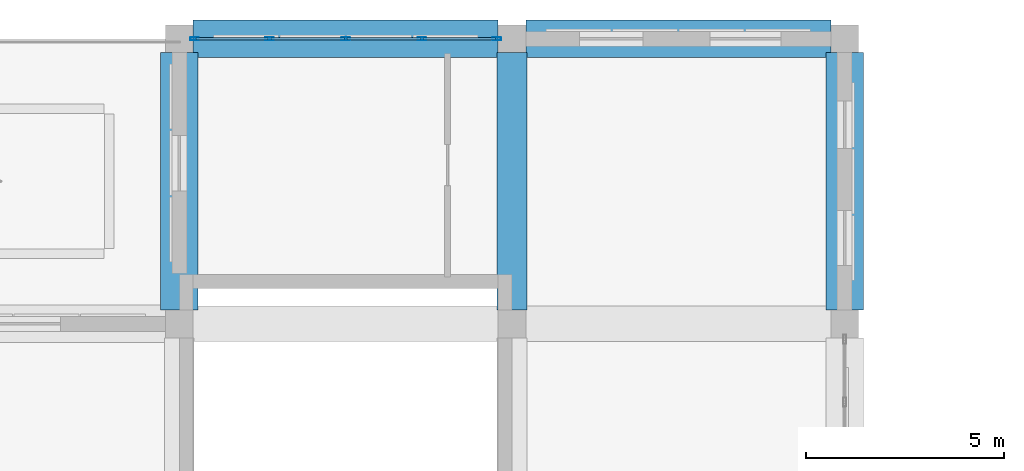
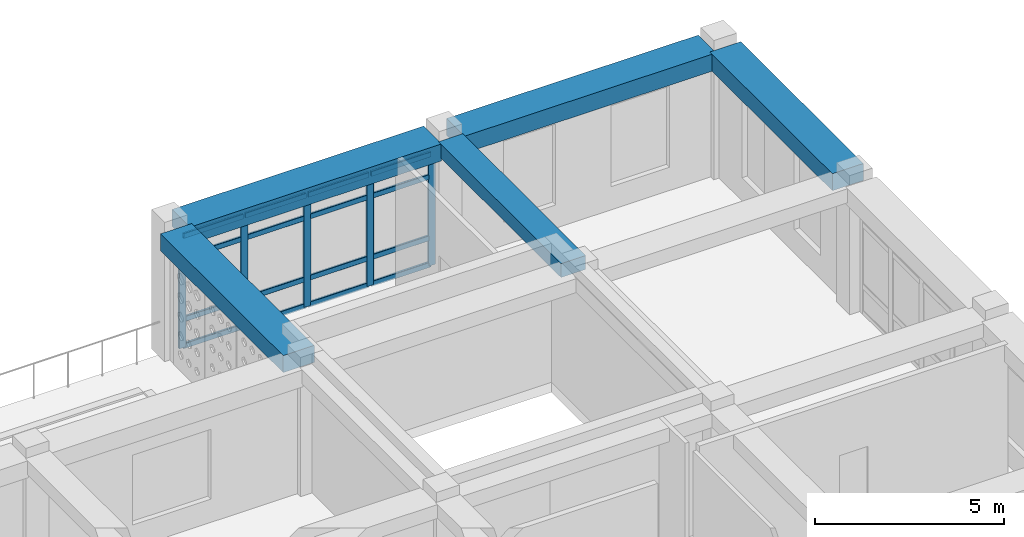
# One storey, part 29 of 79: 21 members, 5 beams, 1 element without a shape of its own.
"""IFC4 building model written with IfcOpenShell, lengths in metres."""

from ifc_helpers import new_model, si_unit, derived_unit, direction, frame, origin, origin_2d, place, context, subcontext, project, spatial, rectangle, hollow_rectangle, extrude, material, material_profile, profile_set, type_object, element, aggregate, save


model = new_model("IFC4")

# Units and contexts
model_context = context("Model", 3, precision=1e-05, world=origin(), true_north=direction((0.0, 1.0)))
body_context = subcontext(model_context, "Body", "Model", "MODEL_VIEW")
ifc_project = project(units=[si_unit("LENGTHUNIT", "METRE"), si_unit("AREAUNIT", "SQUARE_METRE"), si_unit("VOLUMEUNIT", "CUBIC_METRE"), si_unit("PLANEANGLEUNIT", "RADIAN"), si_unit("MASSUNIT", "GRAM", prefix="KILO"), derived_unit("THERMALTRANSMITTANCEUNIT", [(si_unit("POWERUNIT", "WATT"), 1), (si_unit("LENGTHUNIT", "METRE"), -2), (si_unit("THERMODYNAMICTEMPERATUREUNIT", "KELVIN"), -1)])], contexts=[model_context])

# Site, building, storey
site_placement = place(None, origin())
site = spatial("IfcSite", under=ifc_project, at=site_placement, CompositionType="ELEMENT")
building_placement = place(site_placement, origin())
building = spatial("IfcBuilding", under=site, at=building_placement, Name="Veybourne Emporium", CompositionType="ELEMENT")
storey_placement = place(building_placement, frame((0.0, 0.0, 18.89990234375)))
storey = spatial("IfcBuildingStorey", under=building, at=storey_placement, Name="L04", CompositionType="ELEMENT", Elevation=18.89990234375)

# Curtain wall, members
ifc_material_1 = material(Name="Patinated Architectural Bronze", Category="bronze")
curtain_wall_type = type_object("IfcCurtainWallType", Name="CWSystem_CWS-04", PredefinedType="NOTDEFINED", material=ifc_material_1)
curtain_wall_placement = place(storey_placement, origin())
curtain_wall = element("IfcCurtainWall", 1, at=curtain_wall_placement, inside=storey, type_object=curtain_wall_type, Name="L04 bronze glazed curtain wall CWS-04 (039)", PredefinedType="NOTDEFINED")
ifc_material_profile_1 = material_profile(ifc_material_1, hollow_rectangle(XDim=0.070068359375, YDim=0.219970703125, WallThickness=0.0048828125, InnerFilletRadius=0.007568359375, OuterFilletRadius=0.012451171875, at=origin_2d()), Name="CWM 70x220x5")
ifc_profile_set_1 = profile_set([ifc_material_profile_1], Name="Patinated Architectural Bronze")
member_type_1 = type_object("IfcMemberType", Name="CWMullion_CW-M4", PredefinedType="MULLION", material=ifc_profile_set_1)
member_1_placement = place(storey_placement, frame((75.985107421875, 100.800048828125, 0.0), z_axis=(0.0, 0.0, 1.0), x_axis=(0.0, 1.0, 0.0)))
member_1 = element("IfcMember", 2, at=member_1_placement, type_object=member_type_1, Name="CWS-04 mullion 1", PredefinedType="MULLION", context=body_context, shape_type="SweptSolid", body=[
    extrude(hollow_rectangle(XDim=0.070068359375, YDim=0.219970703125, WallThickness=0.0048828125, InnerFilletRadius=0.007568359375, OuterFilletRadius=0.012451171875, at=origin_2d()), origin(), (0.0, 0.0, 1.0), 3.630126953125),
])
member_2_placement = place(storey_placement, frame((77.875, 100.800048828125, 0.0), z_axis=(0.0, 0.0, 1.0), x_axis=(0.0, 1.0, 0.0)))
member_2 = element("IfcMember", 3, at=member_2_placement, type_object=member_type_1, Name="CWS-04 mullion 2", PredefinedType="MULLION", context=body_context, shape_type="SweptSolid", body=[
    extrude(hollow_rectangle(XDim=0.070068359375, YDim=0.219970703125, WallThickness=0.0048828125, InnerFilletRadius=0.007568359375, OuterFilletRadius=0.012451171875, at=origin_2d()), origin(), (0.0, 0.0, 1.0), 3.630126953125),
])
member_3_placement = place(storey_placement, frame((79.800048828125, 100.800048828125, 0.0), z_axis=(0.0, 0.0, 1.0), x_axis=(0.0, 1.0, 0.0)))
member_3 = element("IfcMember", 4, at=member_3_placement, type_object=member_type_1, Name="CWS-04 mullion 3", PredefinedType="MULLION", context=body_context, shape_type="SweptSolid", body=[
    extrude(hollow_rectangle(XDim=0.070068359375, YDim=0.219970703125, WallThickness=0.0048828125, InnerFilletRadius=0.007568359375, OuterFilletRadius=0.012451171875, at=origin_2d()), origin(), (0.0, 0.0, 1.0), 3.630126953125),
])
member_4_placement = place(storey_placement, frame((81.72509765625, 100.800048828125, 0.0), z_axis=(0.0, 0.0, 1.0), x_axis=(0.0, 1.0, 0.0)))
member_4 = element("IfcMember", 5, at=member_4_placement, type_object=member_type_1, Name="CWS-04 mullion 4", PredefinedType="MULLION", context=body_context, shape_type="SweptSolid", body=[
    extrude(hollow_rectangle(XDim=0.070068359375, YDim=0.219970703125, WallThickness=0.0048828125, InnerFilletRadius=0.007568359375, OuterFilletRadius=0.012451171875, at=origin_2d()), origin(), (0.0, 0.0, 1.0), 3.630126953125),
])
member_5_placement = place(storey_placement, frame((83.614990234375, 100.800048828125, 0.0), z_axis=(0.0, 0.0, 1.0), x_axis=(0.0, 1.0, 0.0)))
member_5 = element("IfcMember", 6, at=member_5_placement, type_object=member_type_1, Name="CWS-04 mullion 5", PredefinedType="MULLION", context=body_context, shape_type="SweptSolid", body=[
    extrude(hollow_rectangle(XDim=0.070068359375, YDim=0.219970703125, WallThickness=0.0048828125, InnerFilletRadius=0.007568359375, OuterFilletRadius=0.012451171875, at=origin_2d()), origin(), (0.0, 0.0, 1.0), 3.630126953125),
])
ifc_material_profile_2 = material_profile(ifc_material_1, hollow_rectangle(XDim=0.070068359375, YDim=0.169921875, WallThickness=0.0048828125, InnerFilletRadius=0.007568359375, OuterFilletRadius=0.012451171875, at=origin_2d()), Name="CWT 70x170x5")
ifc_profile_set_2 = profile_set([ifc_material_profile_2], Name="Patinated Architectural Bronze")
member_type_2 = type_object("IfcMemberType", Name="CWTransom_CW-T4", PredefinedType="NOTDEFINED", material=ifc_profile_set_2)
member_6_placement = place(storey_placement, frame((76.02001953125, 100.800048828125, 0.03515625), z_axis=(1.0, 0.0, 0.0), x_axis=(0.0, 1.0, 0.0)))
member_6 = element("IfcMember", 7, at=member_6_placement, type_object=member_type_2, Name="CWS-04 transom 1.1", ObjectType="TRANSOM", PredefinedType="USERDEFINED", context=body_context, shape_type="SweptSolid", body=[
    extrude(hollow_rectangle(XDim=0.070068359375, YDim=0.169921875, WallThickness=0.0048828125, InnerFilletRadius=0.007568359375, OuterFilletRadius=0.012451171875, at=origin_2d()), origin(), (0.0, 0.0, 1.0), 1.820068359375),
])
member_7_placement = place(storey_placement, frame((76.02001953125, 100.800048828125, 0.900146484375), z_axis=(1.0, 0.0, 0.0), x_axis=(0.0, 1.0, 0.0)))
member_7 = element("IfcMember", 8, at=member_7_placement, type_object=member_type_2, Name="CWS-04 transom 1.2", ObjectType="TRANSOM", PredefinedType="USERDEFINED", context=body_context, shape_type="SweptSolid", body=[
    extrude(hollow_rectangle(XDim=0.070068359375, YDim=0.169921875, WallThickness=0.0048828125, InnerFilletRadius=0.007568359375, OuterFilletRadius=0.012451171875, at=origin_2d()), origin(), (0.0, 0.0, 1.0), 1.820068359375),
])
member_8_placement = place(storey_placement, frame((76.02001953125, 100.800048828125, 2.880126953125), z_axis=(1.0, 0.0, 0.0), x_axis=(0.0, 1.0, 0.0)))
member_8 = element("IfcMember", 9, at=member_8_placement, type_object=member_type_2, Name="CWS-04 transom 1.3", ObjectType="TRANSOM", PredefinedType="USERDEFINED", context=body_context, shape_type="SweptSolid", body=[
    extrude(hollow_rectangle(XDim=0.070068359375, YDim=0.169921875, WallThickness=0.0048828125, InnerFilletRadius=0.007568359375, OuterFilletRadius=0.012451171875, at=origin_2d()), origin(), (0.0, 0.0, 1.0), 1.820068359375),
])
member_9_placement = place(storey_placement, frame((76.02001953125, 100.800048828125, 3.59521484375), z_axis=(1.0, 0.0, 0.0), x_axis=(0.0, 1.0, 0.0)))
member_9 = element("IfcMember", 10, at=member_9_placement, type_object=member_type_2, Name="CWS-04 transom 1.4", ObjectType="TRANSOM", PredefinedType="USERDEFINED", context=body_context, shape_type="SweptSolid", body=[
    extrude(hollow_rectangle(XDim=0.070068359375, YDim=0.169921875, WallThickness=0.0048828125, InnerFilletRadius=0.007568359375, OuterFilletRadius=0.012451171875, at=origin_2d()), origin(), (0.0, 0.0, 1.0), 1.820068359375),
])
member_10_placement = place(storey_placement, frame((77.909912109375, 100.800048828125, 0.03515625), z_axis=(1.0, 0.0, 0.0), x_axis=(0.0, 1.0, 0.0)))
member_10 = element("IfcMember", 11, at=member_10_placement, type_object=member_type_2, Name="CWS-04 transom 2.1", ObjectType="TRANSOM", PredefinedType="USERDEFINED", context=body_context, shape_type="SweptSolid", body=[
    extrude(hollow_rectangle(XDim=0.070068359375, YDim=0.169921875, WallThickness=0.0048828125, InnerFilletRadius=0.007568359375, OuterFilletRadius=0.012451171875, at=origin_2d()), origin(), (0.0, 0.0, 1.0), 1.85498046875),
])
member_11_placement = place(storey_placement, frame((77.909912109375, 100.800048828125, 0.900146484375), z_axis=(1.0, 0.0, 0.0), x_axis=(0.0, 1.0, 0.0)))
member_11 = element("IfcMember", 12, at=member_11_placement, type_object=member_type_2, Name="CWS-04 transom 2.2", ObjectType="TRANSOM", PredefinedType="USERDEFINED", context=body_context, shape_type="SweptSolid", body=[
    extrude(hollow_rectangle(XDim=0.070068359375, YDim=0.169921875, WallThickness=0.0048828125, InnerFilletRadius=0.007568359375, OuterFilletRadius=0.012451171875, at=origin_2d()), origin(), (0.0, 0.0, 1.0), 1.85498046875),
])
member_12_placement = place(storey_placement, frame((77.909912109375, 100.800048828125, 2.880126953125), z_axis=(1.0, 0.0, 0.0), x_axis=(0.0, 1.0, 0.0)))
member_12 = element("IfcMember", 13, at=member_12_placement, type_object=member_type_2, Name="CWS-04 transom 2.3", ObjectType="TRANSOM", PredefinedType="USERDEFINED", context=body_context, shape_type="SweptSolid", body=[
    extrude(hollow_rectangle(XDim=0.070068359375, YDim=0.169921875, WallThickness=0.0048828125, InnerFilletRadius=0.007568359375, OuterFilletRadius=0.012451171875, at=origin_2d()), origin(), (0.0, 0.0, 1.0), 1.85498046875),
])
member_13_placement = place(storey_placement, frame((77.909912109375, 100.800048828125, 3.59521484375), z_axis=(1.0, 0.0, 0.0), x_axis=(0.0, 1.0, 0.0)))
member_13 = element("IfcMember", 14, at=member_13_placement, type_object=member_type_2, Name="CWS-04 transom 2.4", ObjectType="TRANSOM", PredefinedType="USERDEFINED", context=body_context, shape_type="SweptSolid", body=[
    extrude(hollow_rectangle(XDim=0.070068359375, YDim=0.169921875, WallThickness=0.0048828125, InnerFilletRadius=0.007568359375, OuterFilletRadius=0.012451171875, at=origin_2d()), origin(), (0.0, 0.0, 1.0), 1.85498046875),
])
member_14_placement = place(storey_placement, frame((79.8349609375, 100.800048828125, 0.03515625), z_axis=(1.0, 0.0, 0.0), x_axis=(0.0, 1.0, 0.0)))
member_14 = element("IfcMember", 15, at=member_14_placement, type_object=member_type_2, Name="CWS-04 transom 3.1", ObjectType="TRANSOM", PredefinedType="USERDEFINED", context=body_context, shape_type="SweptSolid", body=[
    extrude(hollow_rectangle(XDim=0.070068359375, YDim=0.169921875, WallThickness=0.0048828125, InnerFilletRadius=0.007568359375, OuterFilletRadius=0.012451171875, at=origin_2d()), origin(), (0.0, 0.0, 1.0), 1.85498046875),
])
member_15_placement = place(storey_placement, frame((79.8349609375, 100.800048828125, 0.900146484375), z_axis=(1.0, 0.0, 0.0), x_axis=(0.0, 1.0, 0.0)))
member_15 = element("IfcMember", 16, at=member_15_placement, type_object=member_type_2, Name="CWS-04 transom 3.2", ObjectType="TRANSOM", PredefinedType="USERDEFINED", context=body_context, shape_type="SweptSolid", body=[
    extrude(hollow_rectangle(XDim=0.070068359375, YDim=0.169921875, WallThickness=0.0048828125, InnerFilletRadius=0.007568359375, OuterFilletRadius=0.012451171875, at=origin_2d()), origin(), (0.0, 0.0, 1.0), 1.85498046875),
])
member_16_placement = place(storey_placement, frame((79.8349609375, 100.800048828125, 2.880126953125), z_axis=(1.0, 0.0, 0.0), x_axis=(0.0, 1.0, 0.0)))
member_16 = element("IfcMember", 17, at=member_16_placement, type_object=member_type_2, Name="CWS-04 transom 3.3", ObjectType="TRANSOM", PredefinedType="USERDEFINED", context=body_context, shape_type="SweptSolid", body=[
    extrude(hollow_rectangle(XDim=0.070068359375, YDim=0.169921875, WallThickness=0.0048828125, InnerFilletRadius=0.007568359375, OuterFilletRadius=0.012451171875, at=origin_2d()), origin(), (0.0, 0.0, 1.0), 1.85498046875),
])
member_17_placement = place(storey_placement, frame((79.8349609375, 100.800048828125, 3.59521484375), z_axis=(1.0, 0.0, 0.0), x_axis=(0.0, 1.0, 0.0)))
member_17 = element("IfcMember", 18, at=member_17_placement, type_object=member_type_2, Name="CWS-04 transom 3.4", ObjectType="TRANSOM", PredefinedType="USERDEFINED", context=body_context, shape_type="SweptSolid", body=[
    extrude(hollow_rectangle(XDim=0.070068359375, YDim=0.169921875, WallThickness=0.0048828125, InnerFilletRadius=0.007568359375, OuterFilletRadius=0.012451171875, at=origin_2d()), origin(), (0.0, 0.0, 1.0), 1.85498046875),
])
member_18_placement = place(storey_placement, frame((81.760009765625, 100.800048828125, 0.03515625), z_axis=(1.0, 0.0, 0.0), x_axis=(0.0, 1.0, 0.0)))
member_18 = element("IfcMember", 19, at=member_18_placement, type_object=member_type_2, Name="CWS-04 transom 4.1", ObjectType="TRANSOM", PredefinedType="USERDEFINED", context=body_context, shape_type="SweptSolid", body=[
    extrude(hollow_rectangle(XDim=0.070068359375, YDim=0.169921875, WallThickness=0.0048828125, InnerFilletRadius=0.007568359375, OuterFilletRadius=0.012451171875, at=origin_2d()), origin(), (0.0, 0.0, 1.0), 1.820068359375),
])
member_19_placement = place(storey_placement, frame((81.760009765625, 100.800048828125, 0.900146484375), z_axis=(1.0, 0.0, 0.0), x_axis=(0.0, 1.0, 0.0)))
member_19 = element("IfcMember", 20, at=member_19_placement, type_object=member_type_2, Name="CWS-04 transom 4.2", ObjectType="TRANSOM", PredefinedType="USERDEFINED", context=body_context, shape_type="SweptSolid", body=[
    extrude(hollow_rectangle(XDim=0.070068359375, YDim=0.169921875, WallThickness=0.0048828125, InnerFilletRadius=0.007568359375, OuterFilletRadius=0.012451171875, at=origin_2d()), origin(), (0.0, 0.0, 1.0), 1.820068359375),
])
member_20_placement = place(storey_placement, frame((81.760009765625, 100.800048828125, 2.880126953125), z_axis=(1.0, 0.0, 0.0), x_axis=(0.0, 1.0, 0.0)))
member_20 = element("IfcMember", 21, at=member_20_placement, type_object=member_type_2, Name="CWS-04 transom 4.3", ObjectType="TRANSOM", PredefinedType="USERDEFINED", context=body_context, shape_type="SweptSolid", body=[
    extrude(hollow_rectangle(XDim=0.070068359375, YDim=0.169921875, WallThickness=0.0048828125, InnerFilletRadius=0.007568359375, OuterFilletRadius=0.012451171875, at=origin_2d()), origin(), (0.0, 0.0, 1.0), 1.820068359375),
])
member_21_placement = place(storey_placement, frame((81.760009765625, 100.800048828125, 3.59521484375), z_axis=(1.0, 0.0, 0.0), x_axis=(0.0, 1.0, 0.0)))
member_21 = element("IfcMember", 22, at=member_21_placement, type_object=member_type_2, Name="CWS-04 transom 4.4", ObjectType="TRANSOM", PredefinedType="USERDEFINED", context=body_context, shape_type="SweptSolid", body=[
    extrude(hollow_rectangle(XDim=0.070068359375, YDim=0.169921875, WallThickness=0.0048828125, InnerFilletRadius=0.007568359375, OuterFilletRadius=0.012451171875, at=origin_2d()), origin(), (0.0, 0.0, 1.0), 1.820068359375),
])
aggregate(curtain_wall, [member_1, member_2, member_3, member_4, member_5, member_6, member_7, member_8, member_9, member_10, member_11, member_12, member_13, member_14, member_15, member_16, member_17, member_18, member_19, member_20, member_21])

# Beams
ifc_material_2 = material(Name="Concrete C32/40", Category="concrete")
ifc_material_profile_3 = material_profile(ifc_material_2, rectangle(XDim=0.75, YDim=0.449951171875, at=origin_2d()), Name="RC 750x450")
ifc_profile_set_3 = profile_set([ifc_material_profile_3], Name="Concrete C32/40")
beam_type_1 = type_object("IfcBeamType", Name="RCBeam_BB-04", PredefinedType="BEAM", material=ifc_profile_set_3)
beam_placement = place(storey_placement, frame((84.0, 93.949951171875, 3.955078125), z_axis=(0.0, 1.0, 0.0), x_axis=(-1.0, 0.0, 0.0)))
element("IfcBeam", 23, at=beam_placement, inside=storey, type_object=beam_type_1, Name="L04 Y-grid beam BB-04 (10,13)", PredefinedType="BEAM", context=body_context, shape_type="SweptSolid", body=[
    extrude(rectangle(XDim=0.75, YDim=0.449951171875, at=origin_2d()), origin(), (0.0, 0.0, 1.0), 6.5),
])
ifc_material_profile_4 = material_profile(ifc_material_2, rectangle(XDim=0.949951171875, YDim=0.550048828125, at=origin_2d()), Name="RC 950x550")
ifc_profile_set_4 = profile_set([ifc_material_profile_4], Name="Concrete C32/40")
beam_type_2 = type_object("IfcBeamType", Name="RCBeam_EB-01", PredefinedType="SPANDREL", material=ifc_profile_set_4)
for number, where, z_axis, x_axis, name in (
    (24, (75.949951171875, 100.800048828125, 3.905029296875), (1.0, 0.0, 0.0), (0.0, 1.0, 0.0), "L04 X-grid beam EB-01 (9,14)"),
    (25, (84.35009765625, 100.800048828125, 3.905029296875), (1.0, 0.0, 0.0), (0.0, 1.0, 0.0), "L04 X-grid beam EB-01 (10,14)"),
):
    element("IfcBeam", number, at=place(storey_placement, frame(where, z_axis=z_axis, x_axis=x_axis)), inside=storey, type_object=beam_type_2, Name=name, PredefinedType="SPANDREL", context=body_context, shape_type="SweptSolid", body=[
        extrude(rectangle(XDim=0.949951171875, YDim=0.550048828125, at=origin_2d()), origin(), (0.0, 0.0, 1.0), 7.699951171875),
    ])
for number, where, z_axis, x_axis, name in (
    (26, (75.60009765625, 93.949951171875, 3.905029296875), (0.0, 1.0, 0.0), (-1.0, 0.0, 0.0), "L04 Y-grid beam EB-01 (9,13)"),
    (27, (92.39990234375, 93.949951171875, 3.905029296875), (0.0, 1.0, 0.0), (-1.0, 0.0, 0.0), "L04 Y-grid beam EB-01 (11,13)"),
):
    element("IfcBeam", number, at=place(storey_placement, frame(where, z_axis=z_axis, x_axis=x_axis)), inside=storey, type_object=beam_type_2, Name=name, PredefinedType="SPANDREL", context=body_context, shape_type="SweptSolid", body=[
        extrude(rectangle(XDim=0.949951171875, YDim=0.550048828125, at=origin_2d()), origin(), (0.0, 0.0, 1.0), 6.5),
    ])

save(model, "model.ifc")
